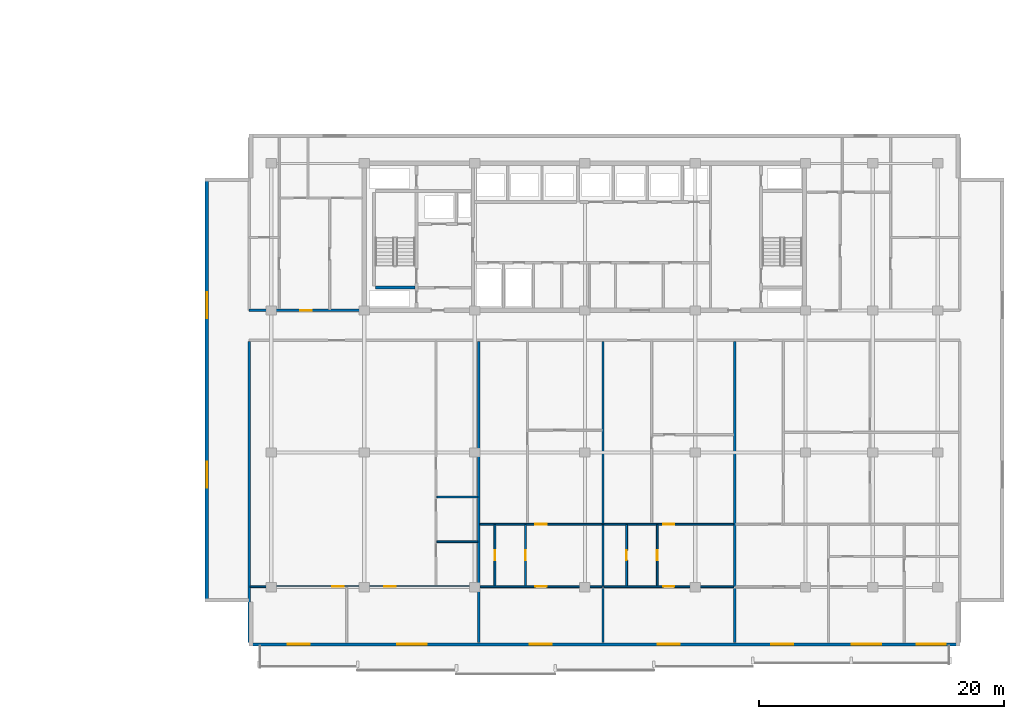
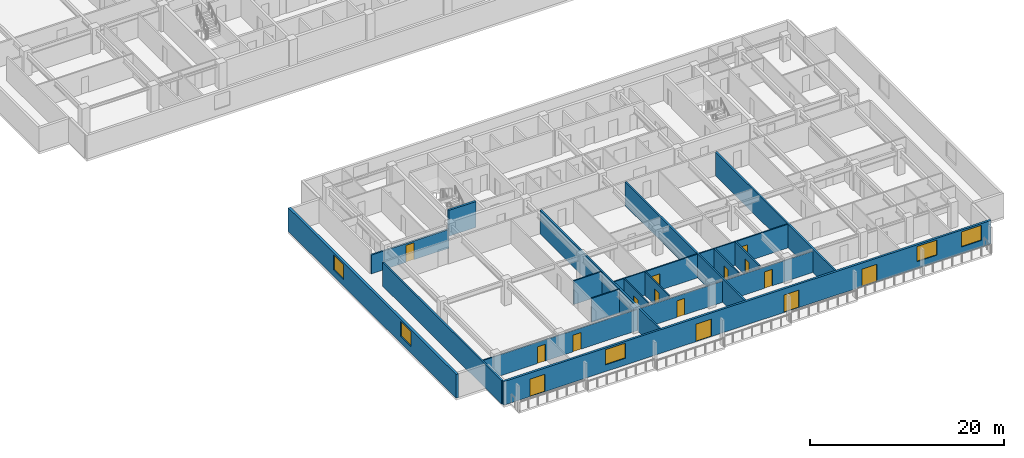
# One storey, part 4 of 21: 19 walls, 15 doors, 5 windows, 20 openings.
"""IFC4 building model written with IfcOpenShell, lengths in metres."""

from ifc_helpers import new_model, si_unit, direction, frame, frame_2d, origin, place, context, subcontext, project, spatial, rectangle, extrude, material, layer, layer_set, type_object, element, fill, save


model = new_model("IFC4")

# Units and contexts
model_context = context("Model", 3, precision=1e-05, world=origin(), true_north=direction((0.0, 1.0)))
body_context = subcontext(model_context, "Body", "Model", "MODEL_VIEW")
ifc_project = project(units=[si_unit("LENGTHUNIT", "METRE"), si_unit("AREAUNIT", "SQUARE_METRE"), si_unit("VOLUMEUNIT", "CUBIC_METRE"), si_unit("PLANEANGLEUNIT", "RADIAN"), si_unit("MASSUNIT", "GRAM", prefix="KILO")], contexts=[model_context])

# Site, building, storey
site_placement = place(None, origin())
site = spatial("IfcSite", under=ifc_project, at=site_placement, CompositionType="ELEMENT")
building_placement = place(site_placement, origin())
building = spatial("IfcBuilding", under=site, at=building_placement, Name="Korimba Cascade Residences", CompositionType="ELEMENT")
storey_placement = place(building_placement, frame((0.0, 0.0, 97.050048828125)))
storey = spatial("IfcBuildingStorey", under=building, at=storey_placement, Name="L27", CompositionType="ELEMENT", Elevation=97.050048828125)

# Wall, openings, doors, windows
ifc_material_1 = material(Name="Precast concrete C40/50", Category="concrete")
ifc_layer_1 = layer(ifc_material_1, 0.25)
ifc_layer_set_1 = layer_set([ifc_layer_1], Name="Precast concrete C40/50")
wall_type_1 = type_object("IfcWallType", Name="EW-LOG-250", PredefinedType="STANDARD", material=ifc_layer_set_1)
wall_1_placement = place(storey_placement, frame((72.699951171875, -8.85009765625, 0.0), z_axis=(0.0, 0.0, 1.0), x_axis=(1.0, 0.0, 0.0)))
wall_1 = element("IfcWall", 1, at=wall_1_placement, inside=storey, type_object=wall_type_1, Name="L27 T2 Perimeter Stone Wall E00", PredefinedType="STANDARD", context=body_context, shape_type="SweptSolid", body=[
    extrude(rectangle(XDim=58.0, YDim=0.25, at=frame_2d((29.0, 0.0))), origin(), (0.0, 0.0, 1.0), 2.969970703125),
])
opening_1_placement = place(wall_1_placement, frame((3.137451171875, 0.0, 0.0)))
opening_1 = element("IfcOpeningElement", 2, at=opening_1_placement, cuts=wall_1, Name="Opening D-LG1", PredefinedType="OPENING", context=body_context, shape_type="SweptSolid", body=[
    extrude(rectangle(XDim=1.800048828125, YDim=2.199951171875, at=frame_2d((0.89990234375, 1.10009765625))), frame((0.0, 0.135009765625, 0.0), z_axis=(0.0, -1.0, 0.0), x_axis=(1.0, 0.0, 0.0)), (0.0, 0.0, 1.0), 0.27001953125),
])
opening_2_placement = place(wall_1_placement, frame((12.092529296875, 0.0, 0.85009765625)))
opening_2 = element("IfcOpeningElement", 3, at=opening_2_placement, cuts=wall_1, Name="Opening W-01", PredefinedType="OPENING", context=body_context, shape_type="SweptSolid", body=[
    extrude(rectangle(XDim=2.39990234375, YDim=1.89990234375, at=frame_2d((1.199951171875, 0.949951171875))), frame((0.0, 0.135009765625, 0.0), z_axis=(0.0, -1.0, 0.0), x_axis=(1.0, 0.0, 0.0)), (0.0, 0.0, 1.0), 0.27001953125),
])
opening_3_placement = place(wall_1_placement, frame((22.91259765625, 0.0, 0.0)))
opening_3 = element("IfcOpeningElement", 4, at=opening_3_placement, cuts=wall_1, Name="Opening D-LG1", PredefinedType="OPENING", context=body_context, shape_type="SweptSolid", body=[
    extrude(rectangle(XDim=1.800048828125, YDim=2.199951171875, at=frame_2d((0.89990234375, 1.10009765625))), frame((0.0, 0.135009765625, 0.0), z_axis=(0.0, -1.0, 0.0), x_axis=(1.0, 0.0, 0.0)), (0.0, 0.0, 1.0), 0.27001953125),
])
opening_4_placement = place(wall_1_placement, frame((33.35009765625, 0.0, 0.0)))
opening_4 = element("IfcOpeningElement", 5, at=opening_4_placement, cuts=wall_1, Name="Opening D-LG1", PredefinedType="OPENING", context=body_context, shape_type="SweptSolid", body=[
    extrude(rectangle(XDim=1.800048828125, YDim=2.199951171875, at=frame_2d((0.89990234375, 1.10009765625))), frame((0.0, 0.135009765625, 0.0), z_axis=(0.0, -1.0, 0.0), x_axis=(1.0, 0.0, 0.0)), (0.0, 0.0, 1.0), 0.27001953125),
])
opening_5_placement = place(wall_1_placement, frame((49.1650390625, 0.0, 0.85009765625)))
opening_5 = element("IfcOpeningElement", 6, at=opening_5_placement, cuts=wall_1, Name="Opening W-01", PredefinedType="OPENING", context=body_context, shape_type="SweptSolid", body=[
    extrude(rectangle(XDim=2.39990234375, YDim=1.89990234375, at=frame_2d((1.199951171875, 0.949951171875))), frame((0.0, 0.135009765625, 0.0), z_axis=(0.0, -1.0, 0.0), x_axis=(1.0, 0.0, 0.0)), (0.0, 0.0, 1.0), 0.27001953125),
])
opening_6_placement = place(wall_1_placement, frame((42.612548828125, 0.0, 0.0)))
opening_6 = element("IfcOpeningElement", 7, at=opening_6_placement, cuts=wall_1, Name="Opening D-LG1", PredefinedType="OPENING", context=body_context, shape_type="SweptSolid", body=[
    extrude(rectangle(XDim=1.800048828125, YDim=2.199951171875, at=frame_2d((0.89990234375, 1.10009765625))), frame((0.0, 0.135009765625, 0.0), z_axis=(0.0, -1.0, 0.0), x_axis=(1.0, 0.0, 0.0)), (0.0, 0.0, 1.0), 0.27001953125),
])
opening_7_placement = place(wall_1_placement, frame((54.465087890625, 0.0, 0.85009765625)))
opening_7 = element("IfcOpeningElement", 8, at=opening_7_placement, cuts=wall_1, Name="Opening W-01", PredefinedType="OPENING", context=body_context, shape_type="SweptSolid", body=[
    extrude(rectangle(XDim=2.39990234375, YDim=1.89990234375, at=frame_2d((1.199951171875, 0.949951171875))), frame((0.0, 0.135009765625, 0.0), z_axis=(0.0, -1.0, 0.0), x_axis=(1.0, 0.0, 0.0)), (0.0, 0.0, 1.0), 0.27001953125),
])
ifc_material_2 = material(Name="Glazed Aluminium Loggia Sliding Door", Category="aluminium")
door_type_1 = type_object("IfcDoorType", Name="DR-EXT-LOG", OperationType="NOTDEFINED", PredefinedType="DOOR", material=ifc_material_2)
door_1_placement = place(opening_1_placement, origin())
door_1 = element("IfcDoor", 9, at=door_1_placement, inside=storey, type_object=door_type_1, Name="L27 T2 Loggia Sliding Door 3", OperationType="SLIDING_TO_RIGHT", OverallHeight=2.199951171875, OverallWidth=1.800048828125, PredefinedType="DOOR", context=body_context, shape_type="SweptSolid", body=[
    extrude(rectangle(XDim=1.800048828125, YDim=2.199951171875, at=frame_2d((0.89990234375, 1.10009765625))), frame((0.0, 0.02490234375, 0.0), z_axis=(0.0, -1.0, 0.0), x_axis=(1.0, 0.0, 0.0)), (0.0, 0.0, 1.0), 0.050048828125),
])
fill(opening_1, door_1)
door_2_placement = place(opening_3_placement, origin())
door_2 = element("IfcDoor", 10, at=door_2_placement, inside=storey, type_object=door_type_1, Name="L27 T2 Loggia Sliding Door 5", OperationType="SLIDING_TO_RIGHT", OverallHeight=2.199951171875, OverallWidth=1.800048828125, PredefinedType="DOOR", context=body_context, shape_type="SweptSolid", body=[
    extrude(rectangle(XDim=1.800048828125, YDim=2.199951171875, at=frame_2d((0.89990234375, 1.10009765625))), frame((0.0, 0.02490234375, 0.0), z_axis=(0.0, -1.0, 0.0), x_axis=(1.0, 0.0, 0.0)), (0.0, 0.0, 1.0), 0.050048828125),
])
fill(opening_3, door_2)
door_3_placement = place(opening_4_placement, origin())
door_3 = element("IfcDoor", 11, at=door_3_placement, inside=storey, type_object=door_type_1, Name="L27 T2 Loggia Sliding Door 6", OperationType="SLIDING_TO_RIGHT", OverallHeight=2.199951171875, OverallWidth=1.800048828125, PredefinedType="DOOR", context=body_context, shape_type="SweptSolid", body=[
    extrude(rectangle(XDim=1.800048828125, YDim=2.199951171875, at=frame_2d((0.89990234375, 1.10009765625))), frame((0.0, 0.02490234375, 0.0), z_axis=(0.0, -1.0, 0.0), x_axis=(1.0, 0.0, 0.0)), (0.0, 0.0, 1.0), 0.050048828125),
])
fill(opening_4, door_3)
door_4_placement = place(opening_6_placement, origin())
door_4 = element("IfcDoor", 12, at=door_4_placement, inside=storey, type_object=door_type_1, Name="L27 T2 Loggia Sliding Door 8", OperationType="SLIDING_TO_RIGHT", OverallHeight=2.199951171875, OverallWidth=1.800048828125, PredefinedType="DOOR", context=body_context, shape_type="SweptSolid", body=[
    extrude(rectangle(XDim=1.800048828125, YDim=2.199951171875, at=frame_2d((0.89990234375, 1.10009765625))), frame((0.0, 0.02490234375, 0.0), z_axis=(0.0, -1.0, 0.0), x_axis=(1.0, 0.0, 0.0)), (0.0, 0.0, 1.0), 0.050048828125),
])
fill(opening_6, door_4)
ifc_material_3 = material(Name="Double-Glazed Aluminium Window", Category="aluminium")
window_type_1 = type_object("IfcWindowType", Name="WIN-RES-2400", PartitioningType="DOUBLE_PANEL_VERTICAL", PredefinedType="WINDOW", material=ifc_material_3)
window_1_placement = place(opening_2_placement, origin())
window_1 = element("IfcWindow", 13, at=window_1_placement, inside=storey, type_object=window_type_1, Name="L27 T2 South Facade Window 4", OverallHeight=1.89990234375, OverallWidth=2.39990234375, PartitioningType="DOUBLE_PANEL_VERTICAL", PredefinedType="WINDOW", context=body_context, shape_type="SweptSolid", body=[
    extrude(rectangle(XDim=2.39990234375, YDim=1.89990234375, at=frame_2d((1.199951171875, 0.949951171875))), frame((0.0, 0.030029296875, 0.0), z_axis=(0.0, -1.0, 0.0), x_axis=(1.0, 0.0, 0.0)), (0.0, 0.0, 1.0), 0.06005859375),
])
fill(opening_2, window_1)
window_2_placement = place(opening_5_placement, origin())
window_2 = element("IfcWindow", 14, at=window_2_placement, inside=storey, type_object=window_type_1, Name="L27 T2 South Facade Window 7", OverallHeight=1.89990234375, OverallWidth=2.39990234375, PartitioningType="DOUBLE_PANEL_VERTICAL", PredefinedType="WINDOW", context=body_context, shape_type="SweptSolid", body=[
    extrude(rectangle(XDim=2.39990234375, YDim=1.89990234375, at=frame_2d((1.199951171875, 0.949951171875))), frame((0.0, 0.030029296875, 0.0), z_axis=(0.0, -1.0, 0.0), x_axis=(1.0, 0.0, 0.0)), (0.0, 0.0, 1.0), 0.06005859375),
])
fill(opening_5, window_2)
window_3_placement = place(opening_7_placement, origin())
window_3 = element("IfcWindow", 15, at=window_3_placement, inside=storey, type_object=window_type_1, Name="L27 T2 South Facade Window 9", OverallHeight=1.89990234375, OverallWidth=2.39990234375, PartitioningType="DOUBLE_PANEL_VERTICAL", PredefinedType="WINDOW", context=body_context, shape_type="SweptSolid", body=[
    extrude(rectangle(XDim=2.39990234375, YDim=1.89990234375, at=frame_2d((1.199951171875, 0.949951171875))), frame((0.0, 0.030029296875, 0.0), z_axis=(0.0, -1.0, 0.0), x_axis=(1.0, 0.0, 0.0)), (0.0, 0.0, 1.0), 0.06005859375),
])
fill(opening_7, window_3)

# Wall, openings, windows
ifc_layer_2 = layer(ifc_material_1, 0.300048828125)
ifc_layer_set_2 = layer_set([ifc_layer_2], Name="Precast concrete C40/50")
wall_type_2 = type_object("IfcWallType", Name="EW-STONE-300", PredefinedType="STANDARD", material=ifc_layer_set_2)
wall_2_placement = place(storey_placement, frame((69.25, 29.199951171875, 0.0), z_axis=(0.0, 0.0, 1.0), x_axis=(0.0, -1.0, 0.0)))
wall_2 = element("IfcWall", 16, at=wall_2_placement, inside=storey, type_object=wall_type_2, Name="L27 T2 Perimeter Stone Wall E09", PredefinedType="STANDARD", context=body_context, shape_type="SweptSolid", body=[
    extrude(rectangle(XDim=34.599853515625, YDim=0.300048828125, at=frame_2d((17.2998046875, 0.0))), origin(), (0.0, 0.0, 1.0), 2.969970703125),
])
opening_8_placement = place(wall_2_placement, frame((9.330078125, 0.0, 0.85009765625)))
opening_8 = element("IfcOpeningElement", 17, at=opening_8_placement, cuts=wall_2, Name="Opening W-03", PredefinedType="OPENING", context=body_context, shape_type="SweptSolid", body=[
    extrude(rectangle(XDim=2.10009765625, YDim=1.85009765625, at=frame_2d((1.050048828125, 0.925048828125))), frame((0.0, 0.16015625, 0.0), z_axis=(0.0, -1.0, 0.0), x_axis=(1.0, 0.0, 0.0)), (0.0, 0.0, 1.0), 0.320068359375),
])
opening_9_placement = place(wall_2_placement, frame((23.169921875, 0.0, 0.85009765625)))
opening_9 = element("IfcOpeningElement", 18, at=opening_9_placement, cuts=wall_2, Name="Opening W-03", PredefinedType="OPENING", context=body_context, shape_type="SweptSolid", body=[
    extrude(rectangle(XDim=2.10009765625, YDim=1.85009765625, at=frame_2d((1.050048828125, 0.925048828125))), frame((0.0, 0.16015625, 0.0), z_axis=(0.0, -1.0, 0.0), x_axis=(1.0, 0.0, 0.0)), (0.0, 0.0, 1.0), 0.320068359375),
])
window_type_2 = type_object("IfcWindowType", Name="WIN-CRN-2100", PartitioningType="DOUBLE_PANEL_HORIZONTAL", PredefinedType="WINDOW", material=ifc_material_3)
window_4_placement = place(opening_8_placement, origin())
window_4 = element("IfcWindow", 19, at=window_4_placement, inside=storey, type_object=window_type_2, Name="L27 T2 End View Window 9.1", OverallHeight=1.85009765625, OverallWidth=2.10009765625, PartitioningType="DOUBLE_PANEL_HORIZONTAL", PredefinedType="WINDOW", context=body_context, shape_type="SweptSolid", body=[
    extrude(rectangle(XDim=2.10009765625, YDim=1.85009765625, at=frame_2d((1.050048828125, 0.925048828125))), frame((0.0, 0.030029296875, 0.0), z_axis=(0.0, -1.0, 0.0), x_axis=(1.0, 0.0, 0.0)), (0.0, 0.0, 1.0), 0.06005859375),
])
fill(opening_8, window_4)
window_5_placement = place(opening_9_placement, origin())
window_5 = element("IfcWindow", 20, at=window_5_placement, inside=storey, type_object=window_type_2, Name="L27 T2 End View Window 9.2", OverallHeight=1.85009765625, OverallWidth=2.10009765625, PartitioningType="DOUBLE_PANEL_HORIZONTAL", PredefinedType="WINDOW", context=body_context, shape_type="SweptSolid", body=[
    extrude(rectangle(XDim=2.10009765625, YDim=1.85009765625, at=frame_2d((1.050048828125, 0.925048828125))), frame((0.0, 0.030029296875, 0.0), z_axis=(0.0, -1.0, 0.0), x_axis=(1.0, 0.0, 0.0)), (0.0, 0.0, 1.0), 0.06005859375),
])
fill(opening_9, window_5)

# Wall, opening, door
ifc_layer_3 = layer(ifc_material_1, 0.199951171875)
ifc_layer_set_3 = layer_set([ifc_layer_3], Name="Precast concrete C40/50")
wall_type_3 = type_object("IfcWallType", Name="WAL-IT-200", PredefinedType="PARTITIONING", material=ifc_layer_set_3)
wall_3_placement = place(storey_placement, frame((72.699951171875, 18.39990234375, 0.0), z_axis=(0.0, 0.0, 1.0), x_axis=(1.0, 0.0, 0.0)))
wall_3 = element("IfcWall", 21, at=wall_3_placement, inside=storey, type_object=wall_type_3, Name="L27 Partition Wall WAL-L27-T2-FW-S", PredefinedType="PARTITIONING", context=body_context, shape_type="SweptSolid", body=[
    extrude(rectangle(XDim=9.25, YDim=0.199951171875, at=frame_2d((4.625, 0.0))), origin(), (0.0, 0.0, 1.0), 2.357666015625),
])
opening_10_placement = place(wall_3_placement, frame((4.14990234375, 0.0, 0.0)))
opening_10 = element("IfcOpeningElement", 22, at=opening_10_placement, cuts=wall_3, Name="Opening D-UN1", PredefinedType="OPENING", context=body_context, shape_type="SweptSolid", body=[
    extrude(rectangle(XDim=0.949951171875, YDim=2.14990234375, at=frame_2d((0.47509765625, 1.074951171875))), frame((0.0, 0.10986328125, 0.0), z_axis=(0.0, -1.0, 0.0), x_axis=(1.0, 0.0, 0.0)), (0.0, 0.0, 1.0), 0.219970703125),
])
ifc_material_4 = material(Name="Fire-Rated Hardwood Apartment Entrance Door", Category="wood")
door_type_2 = type_object("IfcDoorType", Name="DR-FD60-950", OperationType="NOTDEFINED", PredefinedType="DOOR", material=ifc_material_4)
door_5_placement = place(opening_10_placement, origin())
door_5 = element("IfcDoor", 23, at=door_5_placement, inside=storey, type_object=door_type_2, Name="L27-T2-FW Entrance Door", OperationType="SINGLE_SWING_LEFT", OverallHeight=2.14990234375, OverallWidth=0.949951171875, PredefinedType="DOOR", context=body_context, shape_type="SweptSolid", body=[
    extrude(rectangle(XDim=0.949951171875, YDim=2.14990234375, at=frame_2d((0.47509765625, 1.074951171875))), frame((0.0, 0.02490234375, 0.0), z_axis=(0.0, -1.0, 0.0), x_axis=(1.0, 0.0, 0.0)), (0.0, 0.0, 1.0), 0.050048828125),
])
fill(opening_10, door_5)

# Walls
for number, where, z_axis, x_axis, name in (
    (24, (72.699951171875, -8.699951171875, 0.0), (0.0, 0.0, 1.0), (0.0, 1.0, 0.0), "L27 Partition Wall WAL-L27-T2-BNDWL"),
    (25, (91.449951171875, -8.699951171875, 0.0), (0.0, 0.0, 1.0), (0.0, 1.0, 0.0), "L27 Partition Wall WAL-L27-T2-DEM-1"),
    (26, (101.574951171875, -8.699951171875, 0.0), (0.0, 0.0, 1.0), (0.0, 1.0, 0.0), "L27 Partition Wall WAL-L27-T2-DEM-2"),
    (27, (112.324951171875, -8.699951171875, 0.0), (0.0, 0.0, 1.0), (0.0, 1.0, 0.0), "L27 Partition Wall WAL-L27-T2-DEM-3"),
):
    element("IfcWall", number, at=place(storey_placement, frame(where, z_axis=z_axis, x_axis=x_axis)), inside=storey, type_object=wall_type_3, Name=name, PredefinedType="PARTITIONING", context=body_context, shape_type="SweptSolid", body=[
        extrude(rectangle(XDim=24.570068359375, YDim=0.199951171875, at=frame_2d((12.28515625, 0.0))), origin(), (0.0, 0.0, 1.0), 2.969970703125),
    ])
ifc_material_5 = material(Name="Insulated Acoustic Stud Partition", Category="gypsum")
ifc_layer_4 = layer(ifc_material_5, 0.14990234375)
ifc_layer_set_4 = layer_set([ifc_layer_4], Name="Insulated Acoustic Stud Partition")
wall_type_4 = type_object("IfcWallType", Name="WAL-PART-150", PredefinedType="PARTITIONING", material=ifc_layer_set_4)
for number, where, z_axis, x_axis, name in (
    (28, (88.010009765625, -0.47998046875, 0.0), (0.0, 0.0, 1.0), (1.0, 0.0, 0.0), "L27 Partition Wall WAL-L27-T2-U01-WCH"),
    (29, (88.010009765625, 3.169921875, 0.0), (0.0, 0.0, 1.0), (1.0, 0.0, 0.0), "L27 Partition Wall WAL-L27-T2-U01-WCH2"),
):
    element("IfcWall", number, at=place(storey_placement, frame(where, z_axis=z_axis, x_axis=x_axis)), inside=storey, type_object=wall_type_4, Name=name, PredefinedType="PARTITIONING", context=body_context, shape_type="SweptSolid", body=[
        extrude(rectangle(XDim=3.360107421875, YDim=0.14990234375, at=frame_2d((1.68017578125, 0.0))), origin(), (0.0, 0.0, 1.0), 2.969970703125),
    ])

# Wall, openings, doors
wall_4_placement = place(storey_placement, frame((72.780029296875, -4.14990234375, 0.0), z_axis=(0.0, 0.0, 1.0), x_axis=(1.0, 0.0, 0.0)))
wall_4 = element("IfcWall", 30, at=wall_4_placement, inside=storey, type_object=wall_type_4, Name="L27 Partition Wall WAL-L27-T2-U01-HZ", PredefinedType="PARTITIONING", context=body_context, shape_type="SweptSolid", body=[
    extrude(rectangle(XDim=18.590087890625, YDim=0.14990234375, at=frame_2d((9.294921875, 0.0))), origin(), (0.0, 0.0, 1.0), 2.663330078125),
])
opening_11_placement = place(wall_4_placement, frame((6.68505859375, 0.0, 0.0)))
opening_11 = element("IfcOpeningElement", 31, at=opening_11_placement, cuts=wall_4, Name="Opening D-IN0", PredefinedType="OPENING", context=body_context, shape_type="SweptSolid", body=[
    extrude(rectangle(XDim=0.93994140625, YDim=2.10009765625, at=frame_2d((0.469970703125, 1.050048828125))), frame((0.0, 0.0849609375, 0.0), z_axis=(0.0, -1.0, 0.0), x_axis=(1.0, 0.0, 0.0)), (0.0, 0.0, 1.0), 0.169921875),
])
opening_12_placement = place(wall_4_placement, frame((10.935302734375, 0.0, 0.0)))
opening_12 = element("IfcOpeningElement", 32, at=opening_12_placement, cuts=wall_4, Name="Opening D-IN0", PredefinedType="OPENING", context=body_context, shape_type="SweptSolid", body=[
    extrude(rectangle(XDim=0.93994140625, YDim=2.10009765625, at=frame_2d((0.469970703125, 1.050048828125))), frame((0.0, 0.0849609375, 0.0), z_axis=(0.0, -1.0, 0.0), x_axis=(1.0, 0.0, 0.0)), (0.0, 0.0, 1.0), 0.169921875),
])
ifc_material_6 = material(Name="Acoustic Timber Living Archway Door", Category="wood")
door_type_3 = type_object("IfcDoorType", Name="DR-INT-950", OperationType="NOTDEFINED", PredefinedType="DOOR", material=ifc_material_6)
door_6_placement = place(opening_11_placement, origin())
door_6 = element("IfcDoor", 33, at=door_6_placement, inside=storey, type_object=door_type_3, Name="L27-T2-U01 Resident Boardroom Door", OperationType="SINGLE_SWING_LEFT", OverallHeight=2.10009765625, OverallWidth=0.93994140625, PredefinedType="DOOR", context=body_context, shape_type="SweptSolid", body=[
    extrude(rectangle(XDim=0.93994140625, YDim=2.10009765625, at=frame_2d((0.469970703125, 1.050048828125))), frame((0.0, 0.02490234375, 0.0), z_axis=(0.0, -1.0, 0.0), x_axis=(1.0, 0.0, 0.0)), (0.0, 0.0, 1.0), 0.050048828125),
])
fill(opening_11, door_6)
door_7_placement = place(opening_12_placement, origin())
door_7 = element("IfcDoor", 34, at=door_7_placement, inside=storey, type_object=door_type_3, Name="L27-T2-U01 Executive Seminar Room Door", OperationType="SINGLE_SWING_RIGHT", OverallHeight=2.10009765625, OverallWidth=0.93994140625, PredefinedType="DOOR", context=body_context, shape_type="SweptSolid", body=[
    extrude(rectangle(XDim=0.93994140625, YDim=2.10009765625, at=frame_2d((0.469970703125, 1.050048828125))), frame((0.0, 0.02490234375, 0.0), z_axis=(0.0, -1.0, 0.0), x_axis=(1.0, 0.0, 0.0)), (0.0, 0.0, 1.0), 0.050048828125),
])
fill(opening_12, door_7)

# Wall, opening, door
wall_5_placement = place(storey_placement, frame((92.7548828125, -4.090087890625, 0.0), z_axis=(0.0, 0.0, 1.0), x_axis=(0.0, 1.0, 0.0)))
wall_5 = element("IfcWall", 35, at=wall_5_placement, inside=storey, type_object=wall_type_4, Name="L27 Partition Wall WAL-L27-T2-U02-CLS", PredefinedType="PARTITIONING", context=body_context, shape_type="SweptSolid", body=[
    extrude(rectangle(XDim=5.0, YDim=0.14990234375, at=frame_2d((2.5, 0.0))), origin(), (0.0, 0.0, 1.0), 2.969970703125),
])
opening_13_placement = place(wall_5_placement, frame((2.080078125, 0.0, 0.0)))
opening_13 = element("IfcOpeningElement", 36, at=opening_13_placement, cuts=wall_5, Name="Opening D-BT1", PredefinedType="OPENING", context=body_context, shape_type="SweptSolid", body=[
    extrude(rectangle(XDim=0.840087890625, YDim=2.0400390625, at=frame_2d((0.419921875, 1.02001953125))), frame((0.0, 0.0849609375, 0.0), z_axis=(0.0, -1.0, 0.0), x_axis=(1.0, 0.0, 0.0)), (0.0, 0.0, 1.0), 0.169921875),
])
ifc_material_7 = material(Name="Moisture-Resistant Bathroom Timber Door", Category="wood")
door_type_4 = type_object("IfcDoorType", Name="DR-INT-850", OperationType="NOTDEFINED", PredefinedType="DOOR", material=ifc_material_7)
door_8_placement = place(opening_13_placement, origin())
door_8 = element("IfcDoor", 37, at=door_8_placement, inside=storey, type_object=door_type_4, Name="L27-T2-U02 Closet Door", OperationType="SINGLE_SWING_LEFT", OverallHeight=2.0400390625, OverallWidth=0.840087890625, PredefinedType="DOOR", context=body_context, shape_type="SweptSolid", body=[
    extrude(rectangle(XDim=0.840087890625, YDim=2.0400390625, at=frame_2d((0.419921875, 1.02001953125))), frame((0.0, 0.02490234375, 0.0), z_axis=(0.0, -1.0, 0.0), x_axis=(1.0, 0.0, 0.0)), (0.0, 0.0, 1.0), 0.050048828125),
])
fill(opening_13, door_8)

wall_6_placement = place(storey_placement, frame((95.2548828125, -4.090087890625, 0.0), z_axis=(0.0, 0.0, 1.0), x_axis=(0.0, 1.0, 0.0)))
wall_6 = element("IfcWall", 38, at=wall_6_placement, inside=storey, type_object=wall_type_4, Name="L27 Partition Wall WAL-L27-T2-U02-BM", PredefinedType="PARTITIONING", context=body_context, shape_type="SweptSolid", body=[
    extrude(rectangle(XDim=5.0, YDim=0.14990234375, at=frame_2d((2.5, 0.0))), origin(), (0.0, 0.0, 1.0), 2.969970703125),
])
opening_14_placement = place(wall_6_placement, frame((2.080078125, 0.0, 0.0)))
opening_14 = element("IfcOpeningElement", 39, at=opening_14_placement, cuts=wall_6, Name="Opening D-BT1", PredefinedType="OPENING", context=body_context, shape_type="SweptSolid", body=[
    extrude(rectangle(XDim=0.840087890625, YDim=2.0400390625, at=frame_2d((0.419921875, 1.02001953125))), frame((0.0, 0.0849609375, 0.0), z_axis=(0.0, -1.0, 0.0), x_axis=(1.0, 0.0, 0.0)), (0.0, 0.0, 1.0), 0.169921875),
])
door_9_placement = place(opening_14_placement, origin())
door_9 = element("IfcDoor", 40, at=door_9_placement, inside=storey, type_object=door_type_4, Name="L27-T2-U02 Bathroom Door", OperationType="SINGLE_SWING_RIGHT", OverallHeight=2.0400390625, OverallWidth=0.840087890625, PredefinedType="DOOR", context=body_context, shape_type="SweptSolid", body=[
    extrude(rectangle(XDim=0.840087890625, YDim=2.0400390625, at=frame_2d((0.419921875, 1.02001953125))), frame((0.0, 0.02490234375, 0.0), z_axis=(0.0, -1.0, 0.0), x_axis=(1.0, 0.0, 0.0)), (0.0, 0.0, 1.0), 0.050048828125),
])
fill(opening_14, door_9)

wall_7_placement = place(storey_placement, frame((91.530029296875, 0.949951171875, 0.0), z_axis=(0.0, 0.0, 1.0), x_axis=(1.0, 0.0, 0.0)))
wall_7 = element("IfcWall", 41, at=wall_7_placement, inside=storey, type_object=wall_type_4, Name="L27 Partition Wall WAL-L27-T2-U02-MW", PredefinedType="PARTITIONING", context=body_context, shape_type="SweptSolid", body=[
    extrude(rectangle(XDim=9.965087890625, YDim=0.14990234375, at=frame_2d((4.982421875, 0.0))), origin(), (0.0, 0.0, 1.0), 2.969970703125),
])
opening_15_placement = place(wall_7_placement, frame((4.5224609375, 0.0, 0.0)))
opening_15 = element("IfcOpeningElement", 42, at=opening_15_placement, cuts=wall_7, Name="Opening D-IN1", PredefinedType="OPENING", context=body_context, shape_type="SweptSolid", body=[
    extrude(rectangle(XDim=0.919921875, YDim=2.080078125, at=frame_2d((0.4599609375, 1.0400390625))), frame((0.0, 0.0849609375, 0.0), z_axis=(0.0, -1.0, 0.0), x_axis=(1.0, 0.0, 0.0)), (0.0, 0.0, 1.0), 0.169921875),
])
ifc_material_8 = material(Name="Acoustic Timber Living Door", Category="wood")
door_type_5 = type_object("IfcDoorType", Name="DR-INT-920", OperationType="NOTDEFINED", PredefinedType="DOOR", material=ifc_material_8)
door_10_placement = place(opening_15_placement, origin())
door_10 = element("IfcDoor", 43, at=door_10_placement, inside=storey, type_object=door_type_5, Name="L27-T2-U02 Studio Kitchen Door", OperationType="SINGLE_SWING_LEFT", OverallHeight=2.080078125, OverallWidth=0.919921875, PredefinedType="DOOR", context=body_context, shape_type="SweptSolid", body=[
    extrude(rectangle(XDim=0.919921875, YDim=2.080078125, at=frame_2d((0.4599609375, 1.0400390625))), frame((0.0, 0.02490234375, 0.0), z_axis=(0.0, -1.0, 0.0), x_axis=(1.0, 0.0, 0.0)), (0.0, 0.0, 1.0), 0.050048828125),
])
fill(opening_15, door_10)

wall_8_placement = place(storey_placement, frame((91.530029296875, -4.14990234375, 0.0), z_axis=(0.0, 0.0, 1.0), x_axis=(1.0, 0.0, 0.0)))
wall_8 = element("IfcWall", 44, at=wall_8_placement, inside=storey, type_object=wall_type_4, Name="L27 Partition Wall WAL-L27-T2-U02-HZ", PredefinedType="PARTITIONING", context=body_context, shape_type="SweptSolid", body=[
    extrude(rectangle(XDim=9.965087890625, YDim=0.14990234375, at=frame_2d((4.982421875, 0.0))), origin(), (0.0, 0.0, 1.0), 2.663330078125),
])
opening_16_placement = place(wall_8_placement, frame((4.5224609375, 0.0, 0.0)))
opening_16 = element("IfcOpeningElement", 45, at=opening_16_placement, cuts=wall_8, Name="Opening D-IN1", PredefinedType="OPENING", context=body_context, shape_type="SweptSolid", body=[
    extrude(rectangle(XDim=0.919921875, YDim=2.080078125, at=frame_2d((0.4599609375, 1.0400390625))), frame((0.0, 0.0849609375, 0.0), z_axis=(0.0, -1.0, 0.0), x_axis=(1.0, 0.0, 0.0)), (0.0, 0.0, 1.0), 0.169921875),
])
door_11_placement = place(opening_16_placement, origin())
door_11 = element("IfcDoor", 46, at=door_11_placement, inside=storey, type_object=door_type_5, Name="L27-T2-U02 Studio Door", OperationType="SINGLE_SWING_RIGHT", OverallHeight=2.080078125, OverallWidth=0.919921875, PredefinedType="DOOR", context=body_context, shape_type="SweptSolid", body=[
    extrude(rectangle(XDim=0.919921875, YDim=2.080078125, at=frame_2d((0.4599609375, 1.0400390625))), frame((0.0, 0.02490234375, 0.0), z_axis=(0.0, -1.0, 0.0), x_axis=(1.0, 0.0, 0.0)), (0.0, 0.0, 1.0), 0.050048828125),
])
fill(opening_16, door_11)

wall_9_placement = place(storey_placement, frame((103.5048828125, -4.090087890625, 0.0), z_axis=(0.0, 0.0, 1.0), x_axis=(0.0, 1.0, 0.0)))
wall_9 = element("IfcWall", 47, at=wall_9_placement, inside=storey, type_object=wall_type_4, Name="L27 Partition Wall WAL-L27-T2-U03-CLS", PredefinedType="PARTITIONING", context=body_context, shape_type="SweptSolid", body=[
    extrude(rectangle(XDim=5.0, YDim=0.14990234375, at=frame_2d((2.5, 0.0))), origin(), (0.0, 0.0, 1.0), 2.969970703125),
])
opening_17_placement = place(wall_9_placement, frame((2.080078125, 0.0, 0.0)))
opening_17 = element("IfcOpeningElement", 48, at=opening_17_placement, cuts=wall_9, Name="Opening D-BT1", PredefinedType="OPENING", context=body_context, shape_type="SweptSolid", body=[
    extrude(rectangle(XDim=0.840087890625, YDim=2.0400390625, at=frame_2d((0.419921875, 1.02001953125))), frame((0.0, 0.0849609375, 0.0), z_axis=(0.0, -1.0, 0.0), x_axis=(1.0, 0.0, 0.0)), (0.0, 0.0, 1.0), 0.169921875),
])
door_12_placement = place(opening_17_placement, origin())
door_12 = element("IfcDoor", 49, at=door_12_placement, inside=storey, type_object=door_type_4, Name="L27-T2-U03 Closet Door", OperationType="SINGLE_SWING_LEFT", OverallHeight=2.0400390625, OverallWidth=0.840087890625, PredefinedType="DOOR", context=body_context, shape_type="SweptSolid", body=[
    extrude(rectangle(XDim=0.840087890625, YDim=2.0400390625, at=frame_2d((0.419921875, 1.02001953125))), frame((0.0, 0.02490234375, 0.0), z_axis=(0.0, -1.0, 0.0), x_axis=(1.0, 0.0, 0.0)), (0.0, 0.0, 1.0), 0.050048828125),
])
fill(opening_17, door_12)

wall_10_placement = place(storey_placement, frame((106.0048828125, -4.090087890625, 0.0), z_axis=(0.0, 0.0, 1.0), x_axis=(0.0, 1.0, 0.0)))
wall_10 = element("IfcWall", 50, at=wall_10_placement, inside=storey, type_object=wall_type_4, Name="L27 Partition Wall WAL-L27-T2-U03-BM", PredefinedType="PARTITIONING", context=body_context, shape_type="SweptSolid", body=[
    extrude(rectangle(XDim=5.0, YDim=0.14990234375, at=frame_2d((2.5, 0.0))), origin(), (0.0, 0.0, 1.0), 2.969970703125),
])
opening_18_placement = place(wall_10_placement, frame((2.080078125, 0.0, 0.0)))
opening_18 = element("IfcOpeningElement", 51, at=opening_18_placement, cuts=wall_10, Name="Opening D-BT1", PredefinedType="OPENING", context=body_context, shape_type="SweptSolid", body=[
    extrude(rectangle(XDim=0.840087890625, YDim=2.0400390625, at=frame_2d((0.419921875, 1.02001953125))), frame((0.0, 0.0849609375, 0.0), z_axis=(0.0, -1.0, 0.0), x_axis=(1.0, 0.0, 0.0)), (0.0, 0.0, 1.0), 0.169921875),
])
door_13_placement = place(opening_18_placement, origin())
door_13 = element("IfcDoor", 52, at=door_13_placement, inside=storey, type_object=door_type_4, Name="L27-T2-U03 Bathroom Door", OperationType="SINGLE_SWING_RIGHT", OverallHeight=2.0400390625, OverallWidth=0.840087890625, PredefinedType="DOOR", context=body_context, shape_type="SweptSolid", body=[
    extrude(rectangle(XDim=0.840087890625, YDim=2.0400390625, at=frame_2d((0.419921875, 1.02001953125))), frame((0.0, 0.02490234375, 0.0), z_axis=(0.0, -1.0, 0.0), x_axis=(1.0, 0.0, 0.0)), (0.0, 0.0, 1.0), 0.050048828125),
])
fill(opening_18, door_13)

wall_11_placement = place(storey_placement, frame((101.655029296875, 0.949951171875, 0.0), z_axis=(0.0, 0.0, 1.0), x_axis=(1.0, 0.0, 0.0)))
wall_11 = element("IfcWall", 53, at=wall_11_placement, inside=storey, type_object=wall_type_4, Name="L27 Partition Wall WAL-L27-T2-U03-MW", PredefinedType="PARTITIONING", context=body_context, shape_type="SweptSolid", body=[
    extrude(rectangle(XDim=10.590087890625, YDim=0.14990234375, at=frame_2d((5.294921875, 0.0))), origin(), (0.0, 0.0, 1.0), 2.969970703125),
])
opening_19_placement = place(wall_11_placement, frame((4.8349609375, 0.0, 0.0)))
opening_19 = element("IfcOpeningElement", 54, at=opening_19_placement, cuts=wall_11, Name="Opening D-IN1", PredefinedType="OPENING", context=body_context, shape_type="SweptSolid", body=[
    extrude(rectangle(XDim=0.919921875, YDim=2.080078125, at=frame_2d((0.4599609375, 1.0400390625))), frame((0.0, 0.0849609375, 0.0), z_axis=(0.0, -1.0, 0.0), x_axis=(1.0, 0.0, 0.0)), (0.0, 0.0, 1.0), 0.169921875),
])
door_14_placement = place(opening_19_placement, origin())
door_14 = element("IfcDoor", 55, at=door_14_placement, inside=storey, type_object=door_type_5, Name="L27-T2-U03 Studio Kitchen Door", OperationType="SINGLE_SWING_LEFT", OverallHeight=2.080078125, OverallWidth=0.919921875, PredefinedType="DOOR", context=body_context, shape_type="SweptSolid", body=[
    extrude(rectangle(XDim=0.919921875, YDim=2.080078125, at=frame_2d((0.4599609375, 1.0400390625))), frame((0.0, 0.02490234375, 0.0), z_axis=(0.0, -1.0, 0.0), x_axis=(1.0, 0.0, 0.0)), (0.0, 0.0, 1.0), 0.050048828125),
])
fill(opening_19, door_14)

wall_12_placement = place(storey_placement, frame((101.655029296875, -4.14990234375, 0.0), z_axis=(0.0, 0.0, 1.0), x_axis=(1.0, 0.0, 0.0)))
wall_12 = element("IfcWall", 56, at=wall_12_placement, inside=storey, type_object=wall_type_4, Name="L27 Partition Wall WAL-L27-T2-U03-HZ", PredefinedType="PARTITIONING", context=body_context, shape_type="SweptSolid", body=[
    extrude(rectangle(XDim=10.590087890625, YDim=0.14990234375, at=frame_2d((5.294921875, 0.0))), origin(), (0.0, 0.0, 1.0), 2.663330078125),
])
opening_20_placement = place(wall_12_placement, frame((4.8349609375, 0.0, 0.0)))
opening_20 = element("IfcOpeningElement", 57, at=opening_20_placement, cuts=wall_12, Name="Opening D-IN1", PredefinedType="OPENING", context=body_context, shape_type="SweptSolid", body=[
    extrude(rectangle(XDim=0.919921875, YDim=2.080078125, at=frame_2d((0.4599609375, 1.0400390625))), frame((0.0, 0.0849609375, 0.0), z_axis=(0.0, -1.0, 0.0), x_axis=(1.0, 0.0, 0.0)), (0.0, 0.0, 1.0), 0.169921875),
])
door_15_placement = place(opening_20_placement, origin())
door_15 = element("IfcDoor", 58, at=door_15_placement, inside=storey, type_object=door_type_5, Name="L27-T2-U03 Studio Door", OperationType="SINGLE_SWING_RIGHT", OverallHeight=2.080078125, OverallWidth=0.919921875, PredefinedType="DOOR", context=body_context, shape_type="SweptSolid", body=[
    extrude(rectangle(XDim=0.919921875, YDim=2.080078125, at=frame_2d((0.4599609375, 1.0400390625))), frame((0.0, 0.02490234375, 0.0), z_axis=(0.0, -1.0, 0.0), x_axis=(1.0, 0.0, 0.0)), (0.0, 0.0, 1.0), 0.050048828125),
])
fill(opening_20, door_15)

# Wall
ifc_material_9 = material(Name="Concrete C50/60", Category="concrete")
ifc_layer_5 = layer(ifc_material_9, 0.25)
ifc_layer_set_5 = layer_set([ifc_layer_5], Name="Concrete C50/60")
wall_type_5 = type_object("IfcWallType", Name="WAL-SHAFT-250", PredefinedType="SHEAR", material=ifc_layer_set_5)
wall_13_placement = place(storey_placement, frame((83.0, 20.27490234375, 0.0), z_axis=(0.0, 0.0, 1.0), x_axis=(1.0, 0.0, 0.0)))
element("IfcWall", 59, at=wall_13_placement, inside=storey, type_object=wall_type_5, Name="L27 Core Shear Wall CW-L27-T2-STE1S", PredefinedType="SHEAR", context=body_context, shape_type="SweptSolid", body=[
    extrude(rectangle(XDim=3.239990234375, YDim=0.25, at=frame_2d((1.6201171875, 0.0))), origin(), (0.0, 0.0, 1.0), 3.25),
])

save(model, "model.ifc")
